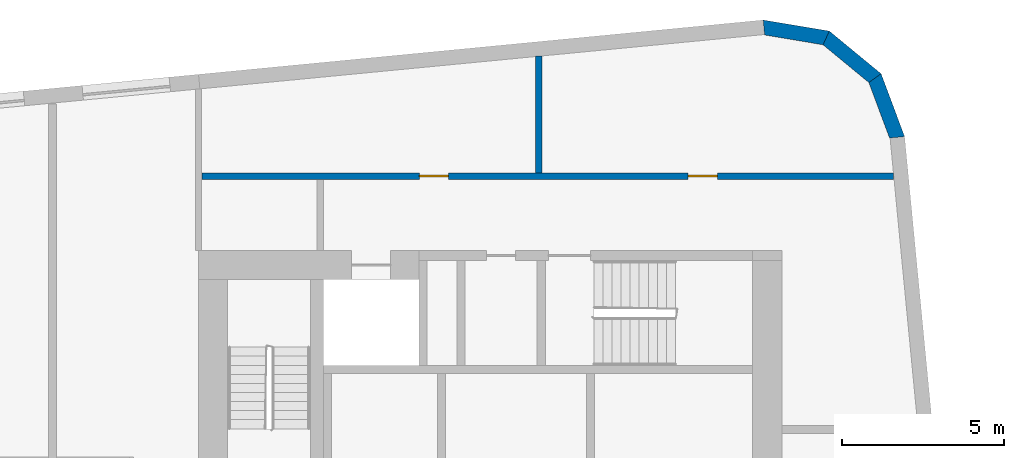
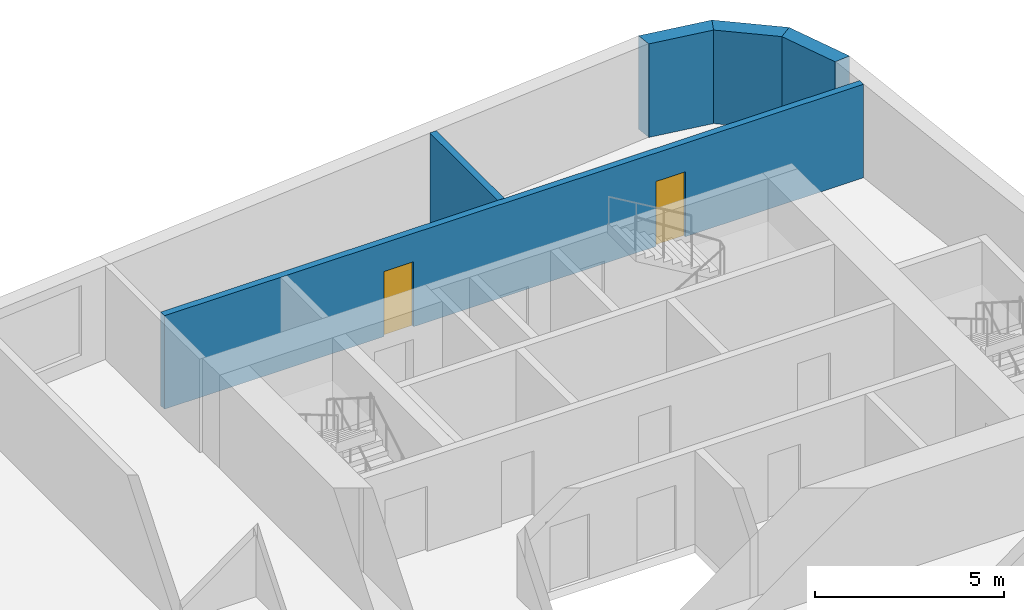
# One storey, part 7 of 11: 5 walls, 2 doors, 2 openings.
"""IFC4 building model written with IfcOpenShell, lengths in metres."""

from ifc_helpers import new_model, si_unit, direction, frame, frame_2d, origin, place, context, subcontext, project, spatial, polyline, rectangle, outline, extrude, material, layer, layer_set, type_object, element, fill, save


model = new_model("IFC4")

# Units and contexts
model_context = context("Model", 3, precision=1e-05, world=origin(), true_north=direction((0.0, 1.0)))
body_context = subcontext(model_context, "Body", "Model", "MODEL_VIEW")
ifc_project = project(units=[si_unit("LENGTHUNIT", "METRE"), si_unit("AREAUNIT", "SQUARE_METRE"), si_unit("VOLUMEUNIT", "CUBIC_METRE"), si_unit("PLANEANGLEUNIT", "RADIAN"), si_unit("MASSUNIT", "GRAM", prefix="KILO")], contexts=[model_context])

# Site, building, storey
site_placement = place(None, origin())
site = spatial("IfcSite", under=ifc_project, at=site_placement, CompositionType="ELEMENT")
building_placement = place(site_placement, origin())
building = spatial("IfcBuilding", under=site, at=building_placement, Name="Kajstack Hotel Tower", CompositionType="ELEMENT")
storey_placement = place(building_placement, frame((0.0, 0.0, 271.800048828125)))
storey = spatial("IfcBuildingStorey", under=building, at=storey_placement, Name="L67", CompositionType="ELEMENT", Elevation=271.800048828125)

# Walls
ifc_material_1 = material(Name="Terracotta-faced brick masonry", Category="masonry")
ifc_layer_1 = layer(ifc_material_1, 0.449951171875)
ifc_layer_set_1 = layer_set([ifc_layer_1], Name="EW-TERRA")
wall_type_1 = type_object("IfcWallType", Name="EW-TERRA", PredefinedType="SOLIDWALL", material=ifc_layer_set_1)
wall_1_placement = place(storey_placement, frame((35.078369140625, 18.9375, 0.0), z_axis=(0.0, 0.0, 1.0), x_axis=(-0.350192909346, 0.936677599948, 0.0)))
element("IfcWall", 1, at=wall_1_placement, inside=storey, type_object=wall_type_1, Name="E-wall-L67-09-00", PredefinedType="SOLIDWALL", context=body_context, shape_type="SweptSolid", body=[
    extrude(outline(polyline([(0.0, -0.22509765625), (2.070556640625, -0.22509765625), (1.949951171875, 0.224853515625), (0.12060546875, 0.224853515625), (0.0, -0.22509765625)])), origin(), (0.0, 0.0, 1.0), 3.02001953125),
])
wall_2_placement = place(storey_placement, frame((34.4208984375, 20.7822265625, 0.0), z_axis=(0.0, 0.0, 1.0), x_axis=(-0.771593176315, 0.636116318187, 0.0)))
element("IfcWall", 2, at=wall_2_placement, inside=storey, type_object=wall_type_1, Name="E-wall-L67-10-00", PredefinedType="SOLIDWALL", context=body_context, shape_type="SweptSolid", body=[
    extrude(outline(polyline([(0.0, -0.22509765625), (2.070556640625, -0.224853515625), (1.949951171875, 0.22509765625), (0.120361328125, 0.22509765625), (0.0, -0.22509765625)])), origin(), (0.0, 0.0, 1.0), 3.02001953125),
])
wall_3_placement = place(storey_placement, frame((32.92919921875, 22.051025390625, 0.0), z_axis=(0.0, 0.0, 1.0), x_axis=(-0.986298144721, 0.164972633245, 0.0)))
element("IfcWall", 3, at=wall_3_placement, inside=storey, type_object=wall_type_1, Name="E-wall-L67-11-00", PredefinedType="SOLIDWALL", context=body_context, shape_type="SweptSolid", body=[
    extrude(outline(polyline([(0.0, -0.224853515625), (2.0703125, -0.22509765625), (1.949951171875, 0.224853515625), (0.12060546875, 0.22509765625), (0.0, -0.224853515625)])), origin(), (0.0, 0.0, 1.0), 3.02001953125),
])

# Wall, openings, doors
ifc_material_2 = material(Name="Gypsum board on steel studs, mineral wool", Category="steel")
ifc_layer_2 = layer(ifc_material_2, 0.199951171875)
ifc_layer_set_2 = layer_set([ifc_layer_2], Name="Service partition 200")
wall_type_2 = type_object("IfcWallType", Name="Service partition 200", PredefinedType="PARTITIONING", material=ifc_layer_set_2)
wall_4_placement = place(storey_placement, frame((13.60009765625, 17.800048828125, 0.0), z_axis=(0.0, 0.0, 1.0), x_axis=(1.0, 0.0, 0.0)))
wall_4 = element("IfcWall", 4, at=wall_4_placement, inside=storey, type_object=wall_type_2, Name="Partition E SLN", PredefinedType="PARTITIONING", context=body_context, shape_type="SweptSolid", body=[
    extrude(rectangle(XDim=21.35400390625, YDim=0.199951171875, at=frame_2d((10.677001953125, 0.0))), origin(), (0.0, 0.0, 1.0), 3.02001953125),
])
opening_1_placement = place(wall_4_placement, frame((15.012451171875, 0.0, 0.0)))
opening_1 = element("IfcOpeningElement", 5, at=opening_1_placement, cuts=wall_4, Name="Opening 67E16", PredefinedType="OPENING", context=body_context, shape_type="SweptSolid", body=[
    extrude(rectangle(XDim=0.89990234375, YDim=2.10009765625, at=frame_2d((0.449951171875, 1.050048828125))), frame((0.0, 0.10986328125, 0.0), z_axis=(0.0, -1.0, 0.0), x_axis=(1.0, 0.0, 0.0)), (0.0, 0.0, 1.0), 0.219970703125),
])
opening_2_placement = place(wall_4_placement, frame((6.71240234375, 0.0, 0.0)))
opening_2 = element("IfcOpeningElement", 6, at=opening_2_placement, cuts=wall_4, Name="Opening 67E17", PredefinedType="OPENING", context=body_context, shape_type="SweptSolid", body=[
    extrude(rectangle(XDim=0.89990234375, YDim=2.10009765625, at=frame_2d((0.449951171875, 1.050048828125))), frame((0.0, 0.10986328125, 0.0), z_axis=(0.0, -1.0, 0.0), x_axis=(1.0, 0.0, 0.0)), (0.0, 0.0, 1.0), 0.219970703125),
])
ifc_material_3 = material(Name="Timber leaf, fire-rated", Category="wood")
door_type = type_object("IfcDoorType", Name="Service door 900", OperationType="SINGLE_SWING_LEFT", PredefinedType="DOOR", material=ifc_material_3)
door_1_placement = place(opening_1_placement, origin())
door_1 = element("IfcDoor", 7, at=door_1_placement, inside=storey, type_object=door_type, Name="Door 67E16", OperationType="SINGLE_SWING_LEFT", OverallHeight=2.10009765625, OverallWidth=0.89990234375, PredefinedType="DOOR", context=body_context, shape_type="SweptSolid", body=[
    extrude(rectangle(XDim=0.89990234375, YDim=2.10009765625, at=frame_2d((0.449951171875, 1.050048828125))), frame((0.0, 0.02490234375, 0.0), z_axis=(0.0, -1.0, 0.0), x_axis=(1.0, 0.0, 0.0)), (0.0, 0.0, 1.0), 0.050048828125),
])
fill(opening_1, door_1)
door_2_placement = place(opening_2_placement, origin())
door_2 = element("IfcDoor", 8, at=door_2_placement, inside=storey, type_object=door_type, Name="Door 67E17", OperationType="SINGLE_SWING_LEFT", OverallHeight=2.10009765625, OverallWidth=0.89990234375, PredefinedType="DOOR", context=body_context, shape_type="SweptSolid", body=[
    extrude(rectangle(XDim=0.89990234375, YDim=2.10009765625, at=frame_2d((0.449951171875, 1.050048828125))), frame((0.0, 0.02490234375, 0.0), z_axis=(0.0, -1.0, 0.0), x_axis=(1.0, 0.0, 0.0)), (0.0, 0.0, 1.0), 0.050048828125),
])
fill(opening_2, door_2)

# Wall
wall_5_placement = place(storey_placement, frame((24.0, 17.89990234375, 0.0), z_axis=(0.0, 0.0, 1.0), x_axis=(0.0, 1.0, 0.0)))
element("IfcWall", 9, at=wall_5_placement, inside=storey, type_object=wall_type_2, Name="Partition E SLP0", PredefinedType="PARTITIONING", context=body_context, shape_type="SweptSolid", body=[
    extrude(rectangle(XDim=3.5966796875, YDim=0.199951171875, at=frame_2d((1.79833984375, 0.0))), origin(), (0.0, 0.0, 1.0), 3.02001953125),
])

save(model, "model.ifc")
